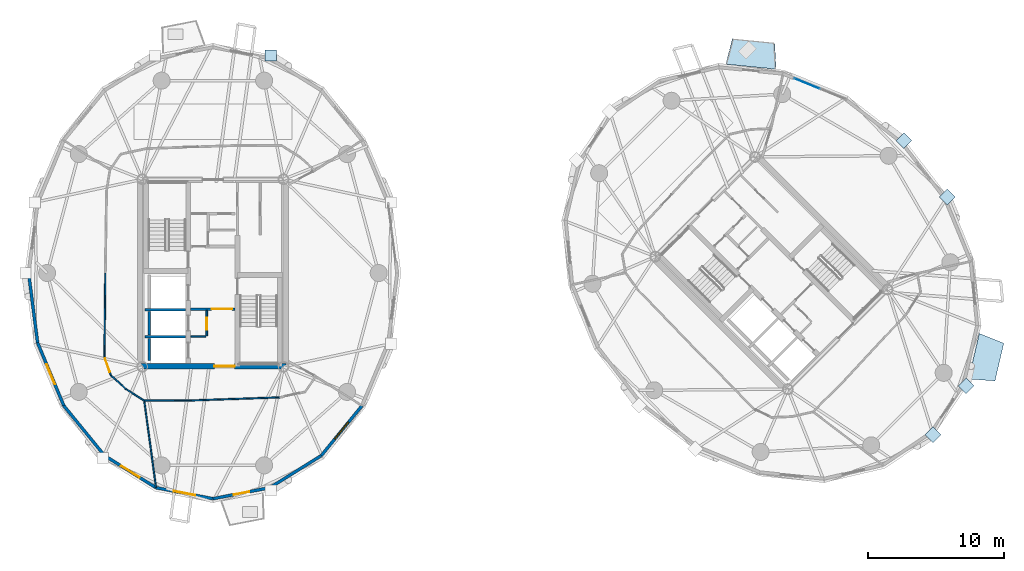
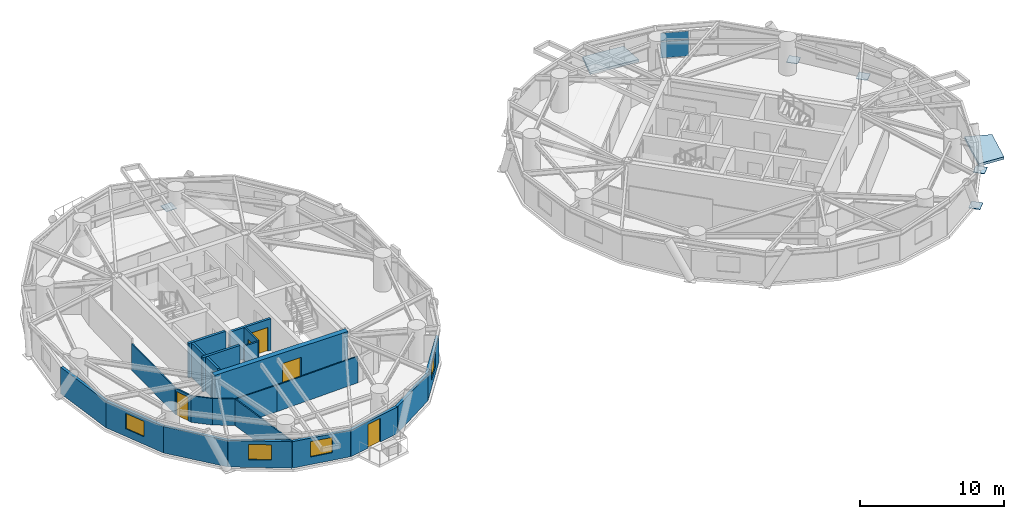
# One storey, part 9 of 17: 23 walls, 7 plates, 5 doors, 4 windows, 2 slabs, 9 openings, 1 element without a shape of its own.
"""IFC4 building model written with IfcOpenShell, lengths in metres."""

from ifc_helpers import new_model, si_unit, direction, frame, frame_2d, origin, origin_2d, place, context, subcontext, project, spatial, polyline, rectangle, outline, extrude, source, transform, mapped, material, layer, layer_set, type_object, element, fill, aggregate, save


model = new_model("IFC4")

# Units and contexts
model_context = context("Model", 3, precision=1e-05, world=origin(), true_north=direction((0.0, 1.0)))
body_context = subcontext(model_context, "Body", "Model", "MODEL_VIEW")
ifc_project = project(units=[si_unit("LENGTHUNIT", "METRE"), si_unit("AREAUNIT", "SQUARE_METRE"), si_unit("VOLUMEUNIT", "CUBIC_METRE"), si_unit("PLANEANGLEUNIT", "RADIAN"), si_unit("MASSUNIT", "GRAM", prefix="KILO")], contexts=[model_context])

# Site, building, storey
site_placement = place(None, origin())
site = spatial("IfcSite", under=ifc_project, at=site_placement, CompositionType="ELEMENT")
building_placement = place(site_placement, origin())
building = spatial("IfcBuilding", under=site, at=building_placement, Name="Cununo Teusaquillo Station Towers", CompositionType="ELEMENT")
storey_placement = place(building_placement, frame((0.0, 0.0, 186.52001953125)))
storey = spatial("IfcBuildingStorey", under=building, at=storey_placement, Name="L59", CompositionType="ELEMENT", Elevation=186.52001953125)

# Slabs
ifc_material_1 = material(Name="Concrete C50/60", Category="concrete")
ifc_layer_1 = layer(ifc_material_1, 0.2099609375)
ifc_layer_set_1 = layer_set([ifc_layer_1], Name="Concrete C50/60")
slab_type = type_object("IfcSlabType", Name="SLB-BAL-210", PredefinedType="FLOOR", material=ifc_layer_set_1)
slab_1_placement = place(storey_placement, frame((0.0, 0.0, -0.2099609375)))
element("IfcSlab", 1, at=slab_1_placement, inside=storey, type_object=slab_type, Name="L59 Tower B Tree Balcony Slab 1", PredefinedType="FLOOR", context=body_context, shape_type="SweptSolid", body=[
    extrude(outline(polyline([(57.8505859375, 39.46337890625), (54.148681640625, 39.830078125), (54.63623046875, 41.706298828125), (57.740966796875, 41.3984375), (57.8505859375, 39.46337890625)])), origin(), (0.0, 0.0, 1.0), 0.2099609375),
])
slab_2_placement = place(storey_placement, frame((0.0, 0.0, -0.2099609375)))
element("IfcSlab", 2, at=slab_2_placement, inside=storey, type_object=slab_type, Name="L59 Tower B Tree Balcony Slab 2", PredefinedType="FLOOR", context=body_context, shape_type="SweptSolid", body=[
    extrude(outline(polyline([(71.979248046875, 16.720703125), (72.75927734375, 20.064208984375), (74.55615234375, 19.3369140625), (73.912353515625, 16.57763671875), (71.979248046875, 16.720703125)])), origin(), (0.0, 0.0, 1.0), 0.2099609375),
])

# Plates
ifc_material_2 = material(Name="Steel ASTM A572 Grade 50", Category="steel")
ifc_layer_2 = layer(ifc_material_2, 0.044921875)
ifc_layer_set_2 = layer_set([ifc_layer_2], Name="Steel ASTM A572 Grade 50")
plate_type_1 = type_object("IfcPlateType", Name="PLT-NODE-DN2", PredefinedType="USERDEFINED", material=ifc_layer_set_2)
shared_shape_1 = source(origin(), body_context, "Body", "SweptSolid", [
    extrude(rectangle(XDim=0.820068359375, YDim=0.820068359375, at=origin_2d()), origin(), (0.0, 0.0, 1.0), 0.044921875),
])
for number, where, z_axis, x_axis, name in (
    (3, (20.749267578125, 40.46826171875, -0.16259765625), (0.0, 0.0, 1.0), (1.0, 0.0, 0.0), "L59 Tower A Diagrid Node Assembly C03"),
    (4, (67.223388671875, 34.223388671875, -0.16259765625), (0.0, 0.0, 1.0), (0.707106781187, 0.707106781187, 0.0), "L59 Tower B Diagrid Node Assembly C00"),
    (5, (69.372314453125, 12.627685546875, -0.16259765625), (0.0, 0.0, 1.0), (0.707106781187, 0.707106781187, 0.0), "L59 Tower B Diagrid Node Assembly C14"),
    (6, (71.7958984375, 16.21337890625, -0.16259765625), (0.0, 0.0, 1.0), (0.707106781187, 0.707106781187, 0.0), "L59 Tower B Diagrid Node Assembly C16"),
    (7, (70.416259765625, 30.078857421875, -0.16259765625), (0.0, 0.0, 1.0), (0.707106781187, 0.707106781187, 0.0), "L59 Tower B Diagrid Node Assembly C18"),
):
    element("IfcPlate", number, at=place(storey_placement, frame(where, z_axis=z_axis, x_axis=x_axis)), inside=storey, type_object=plate_type_1, Name=name, ObjectType="GUSSET PLATE", PredefinedType="USERDEFINED", context=body_context, shape_type="MappedRepresentation", body=[
        mapped(shared_shape_1, transform((0.0, 0.0, 0.0), x_axis=(1.0, 0.0, 0.0), y_axis=(0.0, 1.0, 0.0), z_axis=(0.0, 0.0, 1.0), scale=1.0)),
    ])

# Curtain wall, plates
ifc_material_3 = material(Name="Operable acoustic tinted low-E double glazing", Category="glass")
ifc_layer_3 = layer(ifc_material_3, 0.179931640625)
ifc_layer_set_3 = layer_set([ifc_layer_3], Name="Operable acoustic tinted low-E double glazing")
curtain_wall_type = type_object("IfcCurtainWallType", Name="CW-SYS-06", PredefinedType="USERDEFINED", material=ifc_layer_set_3)
curtain_wall_placement = place(storey_placement, origin())
curtain_wall = element("IfcCurtainWall", 8, at=curtain_wall_placement, inside=storey, type_object=curtain_wall_type, Name="L59 Tower B Facade Curtain Wall C01", ObjectType="OPERABLE GLAZING", PredefinedType="USERDEFINED")
ifc_material_4 = material(Name="Operable acoustic tinted low-E double glazing", Category="glass")
ifc_layer_4 = layer(ifc_material_4, 0.031982421875)
ifc_layer_set_4 = layer_set([ifc_layer_4], Name="Operable acoustic tinted low-E double glazing")
plate_type_2 = type_object("IfcPlateType", Name="CWP-OPER-32", PredefinedType="CURTAIN_PANEL", material=ifc_layer_set_4)
shared_shape_2 = source(origin(), body_context, "Body", "SweptSolid", [
    extrude(rectangle(XDim=1.97900390625, YDim=0.031982421875, at=origin_2d()), origin(), (0.0, 0.0, 1.0), 1.361572265625),
])
plate_1_placement = place(storey_placement, frame((60.1142578125, 38.4013671875, 0.06494140625), z_axis=(0.0, 0.0, 1.0), x_axis=(0.924480504803, -0.381229322376, 0.0)))
plate_1 = element("IfcPlate", 9, at=plate_1_placement, type_object=plate_type_2, Name="CW-06 panel 1.1", PredefinedType="CURTAIN_PANEL", context=body_context, shape_type="MappedRepresentation", body=[
    mapped(shared_shape_2, transform((0.0, 0.0, 0.0), x_axis=(1.0, 0.0, 0.0), y_axis=(0.0, 1.0, 0.0), z_axis=(0.0, 0.0, 1.0), scale=1.0)),
])
shared_shape_3 = source(origin(), body_context, "Body", "SweptSolid", [
    extrude(rectangle(XDim=1.97900390625, YDim=0.031982421875, at=origin_2d()), origin(), (0.0, 0.0, 1.0), 0.6884765625),
])
plate_2_placement = place(storey_placement, frame((60.1142578125, 38.4013671875, 1.491455078125), z_axis=(0.0, 0.0, 1.0), x_axis=(0.924480504803, -0.381229322376, 0.0)))
plate_2 = element("IfcPlate", 10, at=plate_2_placement, type_object=plate_type_2, Name="CW-06 panel 1.2", PredefinedType="CURTAIN_PANEL", context=body_context, shape_type="MappedRepresentation", body=[
    mapped(shared_shape_3, transform((0.0, 0.0, 0.0), x_axis=(1.0, 0.0, 0.0), y_axis=(0.0, 1.0, 0.0), z_axis=(0.0, 0.0, 1.0), scale=1.0)),
])
aggregate(curtain_wall, [plate_1, plate_2])

# Walls
ifc_material_5 = material(Name="Concrete C50/60", Category="concrete")
ifc_layer_5 = layer(ifc_material_5, 0.199951171875)
ifc_layer_set_5 = layer_set([ifc_layer_5], Name="Concrete C50/60")
wall_type_1 = type_object("IfcWallType", Name="WL-CORE-200", PredefinedType="SHEAR", material=ifc_layer_set_5)
for number, where, z_axis, x_axis, name in (
    (11, (11.52001953125, 21.800048828125, 0.0), (0.0, 0.0, 1.0), (1.0, 0.0, 0.0), "L59 Tower A Firefighting Lift Shaft South Shear Wall"),
    (12, (11.52001953125, 19.824951171875, 0.0), (0.0, 0.0, 1.0), (1.0, 0.0, 0.0), "L59 Tower A High-Rise Lift Hoistway Divider Shear Wall"),
):
    element("IfcWall", number, at=place(storey_placement, frame(where, z_axis=z_axis, x_axis=x_axis)), inside=storey, type_object=wall_type_1, Name=name, PredefinedType="SHEAR", context=body_context, shape_type="SweptSolid", body=[
        extrude(rectangle(XDim=2.969970703125, YDim=0.199951171875, at=frame_2d((1.48486328125, 0.0))), origin(), (0.0, 0.0, 1.0), 2.909912109375),
    ])
wall_1_placement = place(storey_placement, frame((11.820068359375, 19.945068359375, 0.0), z_axis=(0.0, 0.0, 1.0), x_axis=(0.0, 1.0, 0.0)))
element("IfcWall", 13, at=wall_1_placement, inside=storey, type_object=wall_type_1, Name="L59 Tower A High-Rise Lift 2 Shaft Rear Shear Wall", PredefinedType="SHEAR", context=body_context, shape_type="SweptSolid", body=[
    extrude(rectangle(XDim=1.73486328125, YDim=0.199951171875, at=frame_2d((0.867431640625, 0.0))), origin(), (0.0, 0.0, 1.0), 2.909912109375),
])
wall_2_placement = place(storey_placement, frame((11.820068359375, 18.070068359375, 0.0), z_axis=(0.0, 0.0, 1.0), x_axis=(0.0, 1.0, 0.0)))
element("IfcWall", 14, at=wall_2_placement, inside=storey, type_object=wall_type_1, Name="L59 Tower A High-Rise Lift 1 Shaft Rear Shear Wall", PredefinedType="SHEAR", context=body_context, shape_type="SweptSolid", body=[
    extrude(rectangle(XDim=1.635009765625, YDim=0.199951171875, at=frame_2d((0.8173828125, 0.0))), origin(), (0.0, 0.0, 1.0), 2.909912109375),
])

# Wall, opening, door
ifc_material_6 = material(Name="Concrete C50/60", Category="concrete")
ifc_layer_6 = layer(ifc_material_6, 0.39990234375)
ifc_layer_set_6 = layer_set([ifc_layer_6], Name="Concrete C50/60")
wall_type_2 = type_object("IfcWallType", Name="WL-CORE-400", PredefinedType="SHEAR", material=ifc_layer_set_6)
wall_3_placement = place(storey_placement, frame((11.14990234375, 17.64990234375, 0.0), z_axis=(0.0, 0.0, 1.0), x_axis=(1.0, 0.0, 0.0)))
wall_3 = element("IfcWall", 15, at=wall_3_placement, inside=storey, type_object=wall_type_2, Name="L59 Tower A Core Shear Wall S", PredefinedType="SHEAR", context=body_context, shape_type="SweptSolid", body=[
    extrude(rectangle(XDim=10.7001953125, YDim=0.39990234375, at=frame_2d((5.35009765625, 0.0))), origin(), (0.0, 0.0, 1.0), 2.909912109375),
])
shared_shape_4 = source(origin(), body_context, "Body", "SweptSolid", [
    extrude(rectangle(XDim=1.5, YDim=2.02001953125, at=frame_2d((0.75, 1.010009765625))), frame((0.0, 0.2099609375, 0.0), z_axis=(0.0, -1.0, 0.0), x_axis=(1.0, 0.0, 0.0)), (0.0, 0.0, 1.0), 0.419921875),
])
opening_1_placement = place(wall_3_placement, frame((5.449951171875, 0.0, 0.0)))
opening_1 = element("IfcOpeningElement", 16, at=opening_1_placement, cuts=wall_3, Name="Opening D-LB1", PredefinedType="OPENING", context=body_context, shape_type="MappedRepresentation", body=[
    mapped(shared_shape_4, transform((0.0, 0.0, 0.0), x_axis=(1.0, 0.0, 0.0), y_axis=(0.0, 1.0, 0.0), z_axis=(0.0, 0.0, 1.0), scale=1.0)),
])
ifc_material_7 = material(Name="Galvanised fire-rated hollow steel door assembly", Category="steel")
door_type_1 = type_object("IfcDoorType", Name="DR-LOBBY-1500", OperationType="DOUBLE_DOOR_SINGLE_SWING", PredefinedType="DOOR", material=ifc_material_7)
shared_shape_5 = source(origin(), body_context, "Body", "SweptSolid", [
    extrude(rectangle(XDim=1.5, YDim=2.02001953125, at=frame_2d((0.75, 1.010009765625))), frame((0.0, 0.02490234375, 0.0), z_axis=(0.0, -1.0, 0.0), x_axis=(1.0, 0.0, 0.0)), (0.0, 0.0, 1.0), 0.050048828125),
])
door_1_placement = place(opening_1_placement, origin())
door_1 = element("IfcDoor", 17, at=door_1_placement, inside=storey, type_object=door_type_1, Name="L59 Tower A South Core Lift Lobby Door", OperationType="DOUBLE_DOOR_SINGLE_SWING", OverallHeight=2.02001953125, OverallWidth=1.5, PredefinedType="DOOR", context=body_context, shape_type="MappedRepresentation", body=[
    mapped(shared_shape_5, transform((0.0, 0.0, 0.0), x_axis=(1.0, 0.0, 0.0), y_axis=(0.0, 1.0, 0.0), z_axis=(0.0, 0.0, 1.0), scale=1.0)),
])
fill(opening_1, door_1)

# Wall
ifc_material_8 = material(Name="Precast concrete C40/50", Category="concrete")
ifc_layer_7 = layer(ifc_material_8, 0.219970703125)
ifc_layer_set_7 = layer_set([ifc_layer_7], Name="Precast concrete C40/50")
wall_type_3 = type_object("IfcWallType", Name="WL-EXT-220", PredefinedType="SOLIDWALL", material=ifc_layer_set_7)
wall_4_placement = place(storey_placement, frame((3.63134765625, 19.379638671875, 0.0), z_axis=(0.0, 0.0, 1.0), x_axis=(-0.128287912609, 0.991736966881, 0.0)))
element("IfcWall", 18, at=wall_4_placement, inside=storey, type_object=wall_type_3, Name="L59 Tower A Exterior Facade Wall C10", PredefinedType="SOLIDWALL", context=body_context, shape_type="SweptSolid", body=[
    extrude(rectangle(XDim=5.1630859375, YDim=0.219970703125, at=frame_2d((2.58154296875, 0.0))), origin(), (0.0, 0.0, 1.0), 2.244873046875),
])

# Wall, opening, window
wall_5_placement = place(storey_placement, frame((5.55322265625, 14.760498046875, 0.0), z_axis=(0.0, 0.0, 1.0), x_axis=(-0.384144094086, 0.923273152961, 0.0)))
wall_5 = element("IfcWall", 19, at=wall_5_placement, inside=storey, type_object=wall_type_3, Name="L59 Tower A Exterior Facade Wall C11", PredefinedType="SOLIDWALL", context=body_context, shape_type="SweptSolid", body=[
    extrude(rectangle(XDim=5.0029296875, YDim=0.219970703125, at=frame_2d((2.50146484375, 0.0))), origin(), (0.0, 0.0, 1.0), 2.244873046875),
])
shared_shape_6 = source(origin(), body_context, "Body", "SweptSolid", [
    extrude(rectangle(XDim=1.60009765625, YDim=1.300048828125, at=frame_2d((0.800048828125, 0.64990234375))), frame((0.0, 0.119873046875, 0.0), z_axis=(0.0, -1.0, 0.0), x_axis=(1.0, 0.0, 0.0)), (0.0, 0.0, 1.0), 0.239990234375),
])
opening_2_placement = place(wall_5_placement, frame((1.701904296875, 0.0, 0.64990234375)))
opening_2 = element("IfcOpeningElement", 20, at=opening_2_placement, cuts=wall_5, Name="Opening WN-03", PredefinedType="OPENING", context=body_context, shape_type="MappedRepresentation", body=[
    mapped(shared_shape_6, transform((0.0, 0.0, 0.0), x_axis=(1.0, 0.0, 0.0), y_axis=(0.0, 1.0, 0.0), z_axis=(0.0, 0.0, 1.0), scale=1.0)),
])
ifc_material_9 = material(Name="Ceramic-fritted dark low-E double glazing", Category="glass")
window_type = type_object("IfcWindowType", Name="WIN-CORN-1600", PartitioningType="SINGLE_PANEL", PredefinedType="WINDOW", material=ifc_material_9)
shared_shape_7 = source(origin(), body_context, "Body", "SweptSolid", [
    extrude(rectangle(XDim=1.60009765625, YDim=1.300048828125, at=frame_2d((0.800048828125, 0.64990234375))), frame((0.0, 0.030029296875, 0.0), z_axis=(0.0, -1.0, 0.0), x_axis=(1.0, 0.0, 0.0)), (0.0, 0.0, 1.0), 0.06005859375),
])
window_1_placement = place(opening_2_placement, origin())
window_1 = element("IfcWindow", 21, at=window_1_placement, inside=storey, type_object=window_type, Name="L59 Tower A Facade Window C11", OverallHeight=1.300048828125, OverallWidth=1.60009765625, PartitioningType="SINGLE_PANEL", PredefinedType="WINDOW", context=body_context, shape_type="MappedRepresentation", body=[
    mapped(shared_shape_7, transform((0.0, 0.0, 0.0), x_axis=(1.0, 0.0, 0.0), y_axis=(0.0, 1.0, 0.0), z_axis=(0.0, 0.0, 1.0), scale=1.0)),
])
fill(opening_2, window_1)

# Wall
wall_6_placement = place(storey_placement, frame((8.546630859375, 11.094482421875, 0.0), z_axis=(0.0, 0.0, 1.0), x_axis=(-0.632470615287, 0.774584353572, 0.0)))
element("IfcWall", 22, at=wall_6_placement, inside=storey, type_object=wall_type_3, Name="L59 Tower A Exterior Facade Wall C12", PredefinedType="SOLIDWALL", context=body_context, shape_type="SweptSolid", body=[
    extrude(rectangle(XDim=4.73291015625, YDim=0.219970703125, at=frame_2d((2.366455078125, 0.0))), origin(), (0.0, 0.0, 1.0), 2.244873046875),
])

# Wall, opening, window
wall_7_placement = place(storey_placement, frame((12.318603515625, 8.740966796875, 0.0), z_axis=(0.0, 0.0, 1.0), x_axis=(-0.848399108042, 0.529357113368, 0.0)))
wall_7 = element("IfcWall", 23, at=wall_7_placement, inside=storey, type_object=wall_type_3, Name="L59 Tower A Exterior Facade Wall C13", PredefinedType="SOLIDWALL", context=body_context, shape_type="SweptSolid", body=[
    extrude(rectangle(XDim=4.446044921875, YDim=0.219970703125, at=frame_2d((2.22314453125, 0.0))), origin(), (0.0, 0.0, 1.0), 2.244873046875),
])
opening_3_placement = place(wall_7_placement, frame((1.423095703125, 0.0, 0.64990234375)))
opening_3 = element("IfcOpeningElement", 24, at=opening_3_placement, cuts=wall_7, Name="Opening WN-03", PredefinedType="OPENING", context=body_context, shape_type="MappedRepresentation", body=[
    mapped(shared_shape_6, transform((0.0, 0.0, 0.0), x_axis=(1.0, 0.0, 0.0), y_axis=(0.0, 1.0, 0.0), z_axis=(0.0, 0.0, 1.0), scale=1.0)),
])
window_2_placement = place(opening_3_placement, origin())
window_2 = element("IfcWindow", 25, at=window_2_placement, inside=storey, type_object=window_type, Name="L59 Tower A Facade Window C13", OverallHeight=1.300048828125, OverallWidth=1.60009765625, PartitioningType="SINGLE_PANEL", PredefinedType="WINDOW", context=body_context, shape_type="MappedRepresentation", body=[
    mapped(shared_shape_7, transform((0.0, 0.0, 0.0), x_axis=(1.0, 0.0, 0.0), y_axis=(0.0, 1.0, 0.0), z_axis=(0.0, 0.0, 1.0), scale=1.0)),
])
fill(opening_3, window_2)

wall_8_placement = place(storey_placement, frame((16.5, 7.929931640625, 0.0), z_axis=(0.0, 0.0, 1.0), x_axis=(-0.981703883443, 0.190413983815, 0.0)))
wall_8 = element("IfcWall", 26, at=wall_8_placement, inside=storey, type_object=wall_type_3, Name="L59 Tower A Exterior Facade Wall C14", PredefinedType="SOLIDWALL", context=body_context, shape_type="SweptSolid", body=[
    extrude(rectangle(XDim=4.25927734375, YDim=0.219970703125, at=frame_2d((2.129638671875, 0.0))), origin(), (0.0, 0.0, 1.0), 2.244873046875),
])
opening_4_placement = place(wall_8_placement, frame((1.330078125, 0.0, 0.64990234375)))
opening_4 = element("IfcOpeningElement", 27, at=opening_4_placement, cuts=wall_8, Name="Opening WN-03", PredefinedType="OPENING", context=body_context, shape_type="MappedRepresentation", body=[
    mapped(shared_shape_6, transform((0.0, 0.0, 0.0), x_axis=(1.0, 0.0, 0.0), y_axis=(0.0, 1.0, 0.0), z_axis=(0.0, 0.0, 1.0), scale=1.0)),
])
window_3_placement = place(opening_4_placement, origin())
window_3 = element("IfcWindow", 28, at=window_3_placement, inside=storey, type_object=window_type, Name="L59 Tower A Facade Window C14", OverallHeight=1.300048828125, OverallWidth=1.60009765625, PartitioningType="SINGLE_PANEL", PredefinedType="WINDOW", context=body_context, shape_type="MappedRepresentation", body=[
    mapped(shared_shape_7, transform((0.0, 0.0, 0.0), x_axis=(1.0, 0.0, 0.0), y_axis=(0.0, 1.0, 0.0), z_axis=(0.0, 0.0, 1.0), scale=1.0)),
])
fill(opening_4, window_3)

# Wall, opening, door
wall_9_placement = place(storey_placement, frame((20.681396484375, 8.740966796875, 0.0), z_axis=(0.0, 0.0, 1.0), x_axis=(-0.981703883443, -0.190413983815, 0.0)))
wall_9 = element("IfcWall", 29, at=wall_9_placement, inside=storey, type_object=wall_type_3, Name="L59 Tower A Exterior Facade Wall C15", PredefinedType="SOLIDWALL", context=body_context, shape_type="SweptSolid", body=[
    extrude(rectangle(XDim=4.25927734375, YDim=0.219970703125, at=frame_2d((2.129638671875, 0.0))), origin(), (0.0, 0.0, 1.0), 2.244873046875),
])
shared_shape_8 = source(origin(), body_context, "Body", "SweptSolid", [
    extrude(rectangle(XDim=1.14990234375, YDim=2.0048828125, at=frame_2d((0.574951171875, 1.00244140625))), frame((0.0, 0.119873046875, 0.0), z_axis=(0.0, -1.0, 0.0), x_axis=(1.0, 0.0, 0.0)), (0.0, 0.0, 1.0), 0.239990234375),
])
opening_5_placement = place(wall_9_placement, frame((1.554931640625, 0.0, 0.0)))
opening_5 = element("IfcOpeningElement", 30, at=opening_5_placement, cuts=wall_9, Name="Opening ED-03", PredefinedType="OPENING", context=body_context, shape_type="MappedRepresentation", body=[
    mapped(shared_shape_8, transform((0.0, 0.0, 0.0), x_axis=(1.0, 0.0, 0.0), y_axis=(0.0, 1.0, 0.0), z_axis=(0.0, 0.0, 1.0), scale=1.0)),
])
ifc_material_10 = material(Name="Anodised dark bronze aluminium EN AW-6063-T6", Category="aluminium")
door_type_2 = type_object("IfcDoorType", Name="DR-EXT-BAL", OperationType="NOTDEFINED", PredefinedType="DOOR", material=ifc_material_10)
shared_shape_9 = source(origin(), body_context, "Body", "SweptSolid", [
    extrude(rectangle(XDim=1.14990234375, YDim=2.0048828125, at=frame_2d((0.574951171875, 1.00244140625))), frame((0.0, 0.02490234375, 0.0), z_axis=(0.0, -1.0, 0.0), x_axis=(1.0, 0.0, 0.0)), (0.0, 0.0, 1.0), 0.050048828125),
])
door_2_placement = place(opening_5_placement, origin())
door_2 = element("IfcDoor", 31, at=door_2_placement, inside=storey, type_object=door_type_2, Name="L59 Tower A Tree Balcony Door C15", OperationType="SINGLE_SWING_LEFT", OverallHeight=2.0048828125, OverallWidth=1.14990234375, PredefinedType="DOOR", context=body_context, shape_type="MappedRepresentation", body=[
    mapped(shared_shape_9, transform((0.0, 0.0, 0.0), x_axis=(1.0, 0.0, 0.0), y_axis=(0.0, 1.0, 0.0), z_axis=(0.0, 0.0, 1.0), scale=1.0)),
])
fill(opening_5, door_2)

# Wall
wall_10_placement = place(storey_placement, frame((24.453369140625, 11.094482421875, 0.0), z_axis=(0.0, 0.0, 1.0), x_axis=(-0.848399108042, -0.529357113368, 0.0)))
element("IfcWall", 32, at=wall_10_placement, inside=storey, type_object=wall_type_3, Name="L59 Tower A Exterior Facade Wall C16", PredefinedType="SOLIDWALL", context=body_context, shape_type="SweptSolid", body=[
    extrude(rectangle(XDim=4.446044921875, YDim=0.219970703125, at=frame_2d((2.22314453125, 0.0))), origin(), (0.0, 0.0, 1.0), 2.244873046875),
])

# Wall, opening, window
wall_11_placement = place(storey_placement, frame((27.44677734375, 14.760498046875, 0.0), z_axis=(0.0, 0.0, 1.0), x_axis=(-0.632470615287, -0.774584353572, 0.0)))
wall_11 = element("IfcWall", 33, at=wall_11_placement, inside=storey, type_object=wall_type_3, Name="L59 Tower A Exterior Facade Wall C17", PredefinedType="SOLIDWALL", context=body_context, shape_type="SweptSolid", body=[
    extrude(rectangle(XDim=4.73291015625, YDim=0.219970703125, at=frame_2d((2.366455078125, 0.0))), origin(), (0.0, 0.0, 1.0), 2.244873046875),
])
opening_6_placement = place(wall_11_placement, frame((1.56591796875, 0.0, 0.64990234375)))
opening_6 = element("IfcOpeningElement", 34, at=opening_6_placement, cuts=wall_11, Name="Opening WN-03", PredefinedType="OPENING", context=body_context, shape_type="MappedRepresentation", body=[
    mapped(shared_shape_6, transform((0.0, 0.0, 0.0), x_axis=(1.0, 0.0, 0.0), y_axis=(0.0, 1.0, 0.0), z_axis=(0.0, 0.0, 1.0), scale=1.0)),
])
window_4_placement = place(opening_6_placement, origin())
window_4 = element("IfcWindow", 35, at=window_4_placement, inside=storey, type_object=window_type, Name="L59 Tower A Facade Window C17", OverallHeight=1.300048828125, OverallWidth=1.60009765625, PartitioningType="SINGLE_PANEL", PredefinedType="WINDOW", context=body_context, shape_type="MappedRepresentation", body=[
    mapped(shared_shape_7, transform((0.0, 0.0, 0.0), x_axis=(1.0, 0.0, 0.0), y_axis=(0.0, 1.0, 0.0), z_axis=(0.0, 0.0, 1.0), scale=1.0)),
])
fill(opening_6, window_4)

# Wall
ifc_material_11 = material(Name="Fire-rated gypsum plasterboard partition assembly", Category="gypsum")
ifc_layer_8 = layer(ifc_material_11, 0.10009765625)
ifc_layer_set_8 = layer_set([ifc_layer_8], Name="Fire-rated gypsum plasterboard partition assembly")
wall_type_4 = type_object("IfcWallType", Name="WL-PART-100", PredefinedType="MOVABLE", material=ifc_layer_set_8)
wall_12_placement = place(storey_placement, frame((8.60009765625, 24.5, 0.0), z_axis=(0.0, 0.0, 1.0), x_axis=(-0.010023665349, -0.999949761805, 0.0)))
element("IfcWall", 36, at=wall_12_placement, inside=storey, type_object=wall_type_4, Name="L59 Tower A Corridor Ring Wall C10", PredefinedType="MOVABLE", context=body_context, shape_type="SweptSolid", body=[
    extrude(rectangle(XDim=6.162109375, YDim=0.10009765625, at=frame_2d((3.0810546875, 0.0))), origin(), (0.0, 0.0, 1.0), 2.244873046875),
])

# Wall, opening, door
wall_13_placement = place(storey_placement, frame((8.538330078125, 18.338134765625, 0.0), z_axis=(0.0, 0.0, 1.0), x_axis=(0.331358150167, -0.94350504838, 0.0)))
wall_13 = element("IfcWall", 37, at=wall_13_placement, inside=storey, type_object=wall_type_4, Name="L59 Tower A Corridor Ring Wall C11", PredefinedType="MOVABLE", context=body_context, shape_type="SweptSolid", body=[
    extrude(rectangle(XDim=1.42431640625, YDim=0.10009765625, at=frame_2d((0.712158203125, 0.0))), origin(), (0.0, 0.0, 1.0), 2.244873046875),
])
shared_shape_10 = source(origin(), body_context, "Body", "SweptSolid", [
    extrude(rectangle(XDim=1.050048828125, YDim=2.014892578125, at=frame_2d((0.52490234375, 1.00732421875))), frame((0.0, 0.06005859375, 0.0), z_axis=(0.0, -1.0, 0.0), x_axis=(1.0, 0.0, 0.0)), (0.0, 0.0, 1.0), 0.1201171875),
])
opening_7_placement = place(wall_13_placement, frame((0.1201171875, 0.0, 0.0)))
opening_7 = element("IfcOpeningElement", 38, at=opening_7_placement, cuts=wall_13, Name="Opening D-SU1", PredefinedType="OPENING", context=body_context, shape_type="MappedRepresentation", body=[
    mapped(shared_shape_10, transform((0.0, 0.0, 0.0), x_axis=(1.0, 0.0, 0.0), y_axis=(0.0, 1.0, 0.0), z_axis=(0.0, 0.0, 1.0), scale=1.0)),
])
ifc_material_12 = material(Name="Acoustic solid-core hardwood leaf assembly", Category="wood")
door_type_3 = type_object("IfcDoorType", Name="DR-SUITE-1050", OperationType="NOTDEFINED", PredefinedType="DOOR", material=ifc_material_12)
shared_shape_11 = source(origin(), body_context, "Body", "SweptSolid", [
    extrude(rectangle(XDim=1.050048828125, YDim=2.014892578125, at=frame_2d((0.52490234375, 1.00732421875))), frame((0.0, 0.02490234375, 0.0), z_axis=(0.0, -1.0, 0.0), x_axis=(1.0, 0.0, 0.0)), (0.0, 0.0, 1.0), 0.050048828125),
])
door_3_placement = place(opening_7_placement, origin())
door_3 = element("IfcDoor", 39, at=door_3_placement, inside=storey, type_object=door_type_3, Name="L59 Tower A Imperial Canopy Exhibition Lounge Entrance Door", OperationType="SINGLE_SWING_RIGHT", OverallHeight=2.014892578125, OverallWidth=1.050048828125, PredefinedType="DOOR", context=body_context, shape_type="MappedRepresentation", body=[
    mapped(shared_shape_11, transform((0.0, 0.0, 0.0), x_axis=(1.0, 0.0, 0.0), y_axis=(0.0, 1.0, 0.0), z_axis=(0.0, 0.0, 1.0), scale=1.0)),
])
fill(opening_7, door_3)

# Walls
wall_14_placement = place(storey_placement, frame((9.01025390625, 16.994384765625, 0.0), z_axis=(0.0, 0.0, 1.0), x_axis=(0.737701798986, -0.67512669609, 0.0)))
element("IfcWall", 40, at=wall_14_placement, inside=storey, type_object=wall_type_4, Name="L59 Tower A Corridor Ring Wall C12", PredefinedType="MOVABLE", context=body_context, shape_type="SweptSolid", body=[
    extrude(rectangle(XDim=1.498291015625, YDim=0.10009765625, at=frame_2d((0.7490234375, 0.0))), origin(), (0.0, 0.0, 1.0), 2.244873046875),
])
wall_15_placement = place(storey_placement, frame((10.115478515625, 15.98291015625, 0.0), z_axis=(0.0, 0.0, 1.0), x_axis=(0.843995849351, -0.536349705209, 0.0)))
element("IfcWall", 41, at=wall_15_placement, inside=storey, type_object=wall_type_4, Name="L59 Tower A Corridor Ring Wall C13", PredefinedType="MOVABLE", context=body_context, shape_type="SweptSolid", body=[
    extrude(rectangle(XDim=1.5927734375, YDim=0.10009765625, at=frame_2d((0.79638671875, 0.0))), origin(), (0.0, 0.0, 1.0), 2.244873046875),
])
wall_16_placement = place(storey_placement, frame((11.459716796875, 15.128662109375, 0.0), z_axis=(0.0, 0.0, 1.0), x_axis=(0.999993513287, 0.003601858435, 0.0)))
element("IfcWall", 42, at=wall_16_placement, inside=storey, type_object=wall_type_4, Name="L59 Tower A Corridor Ring Wall C14", PredefinedType="MOVABLE", context=body_context, shape_type="SweptSolid", body=[
    extrude(rectangle(XDim=3.3212890625, YDim=0.10009765625, at=frame_2d((1.66064453125, 0.0))), origin(), (0.0, 0.0, 1.0), 2.244873046875),
])
wall_17_placement = place(storey_placement, frame((14.781005859375, 15.140625, 0.0), z_axis=(0.0, 0.0, 1.0), x_axis=(0.999407918707, 0.034406569513, 0.0)))
element("IfcWall", 43, at=wall_17_placement, inside=storey, type_object=wall_type_4, Name="L59 Tower A Corridor Ring Wall C15", PredefinedType="MOVABLE", context=body_context, shape_type="SweptSolid", body=[
    extrude(rectangle(XDim=6.6416015625, YDim=0.10009765625, at=frame_2d((3.32080078125, 0.0))), origin(), (0.0, 0.0, 1.0), 2.244873046875),
])
wall_18_placement = place(storey_placement, frame((11.459716796875, 15.128662109375, 0.0), z_axis=(0.0, 0.0, 1.0), x_axis=(0.134621607411, -0.990897079831, 0.0)))
element("IfcWall", 44, at=wall_18_placement, inside=storey, type_object=wall_type_4, Name="L59 Tower A Radial Suite Partition R03", PredefinedType="MOVABLE", context=body_context, shape_type="SweptSolid", body=[
    extrude(rectangle(XDim=6.42724609375, YDim=0.10009765625, at=frame_2d((3.213623046875, 0.0))), origin(), (0.0, 0.0, 1.0), 2.244873046875),
])

# Wall, opening, door
ifc_material_13 = material(Name="Fire-rated gypsum plasterboard partition assembly", Category="gypsum")
ifc_layer_9 = layer(ifc_material_13, 0.125)
ifc_layer_set_9 = layer_set([ifc_layer_9], Name="Fire-rated gypsum plasterboard partition assembly")
wall_type_5 = type_object("IfcWallType", Name="WL-PART-125", PredefinedType="PARTITIONING", material=ifc_layer_set_9)
wall_19_placement = place(storey_placement, frame((16.050048828125, 19.8798828125, 0.0), z_axis=(0.0, 0.0, 1.0), x_axis=(0.0, 1.0, 0.0)))
wall_19 = element("IfcWall", 45, at=wall_19_placement, inside=storey, type_object=wall_type_5, Name="L59 Tower A North-West Lobby Store East Wall", PredefinedType="PARTITIONING", context=body_context, shape_type="SweptSolid", body=[
    extrude(rectangle(XDim=1.8701171875, YDim=0.125, at=frame_2d((0.93505859375, 0.0))), origin(), (0.0, 0.0, 1.0), 2.675048828125),
])
shared_shape_12 = source(origin(), body_context, "Body", "SweptSolid", [
    extrude(rectangle(XDim=0.89990234375, YDim=2.0048828125, at=frame_2d((0.449951171875, 1.00244140625))), frame((0.0, 0.072509765625, 0.0), z_axis=(0.0, -1.0, 0.0), x_axis=(1.0, 0.0, 0.0)), (0.0, 0.0, 1.0), 0.14501953125),
])
opening_8_placement = place(wall_19_placement, frame((0.449951171875, 0.0, 0.0)))
opening_8 = element("IfcOpeningElement", 46, at=opening_8_placement, cuts=wall_19, Name="Opening D-SR1", PredefinedType="OPENING", context=body_context, shape_type="MappedRepresentation", body=[
    mapped(shared_shape_12, transform((0.0, 0.0, 0.0), x_axis=(1.0, 0.0, 0.0), y_axis=(0.0, 1.0, 0.0), z_axis=(0.0, 0.0, 1.0), scale=1.0)),
])
ifc_material_14 = material(Name="Galvanised fire-rated hollow steel door assembly", Category="steel")
door_type_4 = type_object("IfcDoorType", Name="DR-STORE-900", OperationType="NOTDEFINED", PredefinedType="DOOR", material=ifc_material_14)
shared_shape_13 = source(origin(), body_context, "Body", "SweptSolid", [
    extrude(rectangle(XDim=0.89990234375, YDim=2.0048828125, at=frame_2d((0.449951171875, 1.00244140625))), frame((0.0, 0.02490234375, 0.0), z_axis=(0.0, -1.0, 0.0), x_axis=(1.0, 0.0, 0.0)), (0.0, 0.0, 1.0), 0.050048828125),
])
door_4_placement = place(opening_8_placement, origin())
door_4 = element("IfcDoor", 47, at=door_4_placement, inside=storey, type_object=door_type_4, Name="L59 Tower A South Lobby Data Store Door", OperationType="SINGLE_SWING_RIGHT", OverallHeight=2.0048828125, OverallWidth=0.89990234375, PredefinedType="DOOR", context=body_context, shape_type="MappedRepresentation", body=[
    mapped(shared_shape_13, transform((0.0, 0.0, 0.0), x_axis=(1.0, 0.0, 0.0), y_axis=(0.0, 1.0, 0.0), z_axis=(0.0, 0.0, 1.0), scale=1.0)),
])
fill(opening_8, door_4)

# Wall
wall_20_placement = place(storey_placement, frame((14.8798828125, 19.85009765625, 0.0), z_axis=(0.0, 0.0, 1.0), x_axis=(1.0, 0.0, 0.0)))
element("IfcWall", 48, at=wall_20_placement, inside=storey, type_object=wall_type_5, Name="L59 Tower A North-West Lobby Store South Wall", PredefinedType="PARTITIONING", context=body_context, shape_type="SweptSolid", body=[
    extrude(rectangle(XDim=1.10009765625, YDim=0.125, at=frame_2d((0.550048828125, 0.0))), origin(), (0.0, 0.0, 1.0), 2.675048828125),
])

# Wall, opening, door
ifc_material_15 = material(Name="Fire-rated gypsum plasterboard partition assembly", Category="gypsum")
ifc_layer_10 = layer(ifc_material_15, 0.199951171875)
ifc_layer_set_10 = layer_set([ifc_layer_10], Name="Fire-rated gypsum plasterboard partition assembly")
wall_type_6 = type_object("IfcWallType", Name="WL-PART-200", PredefinedType="PARTITIONING", material=ifc_layer_set_10)
wall_21_placement = place(storey_placement, frame((14.860107421875, 21.85009765625, 0.0), z_axis=(0.0, 0.0, 1.0), x_axis=(1.0, 0.0, 0.0)))
wall_21 = element("IfcWall", 49, at=wall_21_placement, inside=storey, type_object=wall_type_6, Name="L59 Tower A Firefighting Lift Lobby South Fire Wall", PredefinedType="PARTITIONING", context=body_context, shape_type="SweptSolid", body=[
    extrude(rectangle(XDim=3.27978515625, YDim=0.199951171875, at=frame_2d((1.639892578125, 0.0))), origin(), (0.0, 0.0, 1.0), 2.675048828125),
])
shared_shape_14 = source(origin(), body_context, "Body", "SweptSolid", [
    extrude(rectangle(XDim=1.5, YDim=2.02001953125, at=frame_2d((0.75, 1.010009765625))), frame((0.0, 0.10986328125, 0.0), z_axis=(0.0, -1.0, 0.0), x_axis=(1.0, 0.0, 0.0)), (0.0, 0.0, 1.0), 0.219970703125),
])
opening_9_placement = place(wall_21_placement, frame((1.550048828125, 0.0, 0.0)))
opening_9 = element("IfcOpeningElement", 50, at=opening_9_placement, cuts=wall_21, Name="Opening D-LB1", PredefinedType="OPENING", context=body_context, shape_type="MappedRepresentation", body=[
    mapped(shared_shape_14, transform((0.0, 0.0, 0.0), x_axis=(1.0, 0.0, 0.0), y_axis=(0.0, 1.0, 0.0), z_axis=(0.0, 0.0, 1.0), scale=1.0)),
])
door_5_placement = place(opening_9_placement, origin())
door_5 = element("IfcDoor", 51, at=door_5_placement, inside=storey, type_object=door_type_1, Name="L59 Tower A Firefighting Lift Lobby South Fire Door", OperationType="DOUBLE_DOOR_SINGLE_SWING", OverallHeight=2.02001953125, OverallWidth=1.5, PredefinedType="DOOR", context=body_context, shape_type="MappedRepresentation", body=[
    mapped(shared_shape_5, transform((0.0, 0.0, 0.0), x_axis=(1.0, 0.0, 0.0), y_axis=(0.0, 1.0, 0.0), z_axis=(0.0, 0.0, 1.0), scale=1.0)),
])
fill(opening_9, door_5)

save(model, "model.ifc")
